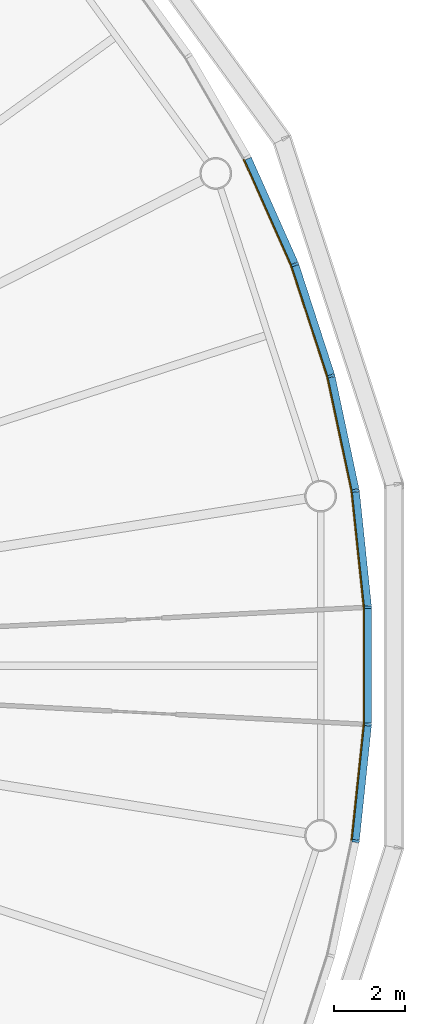
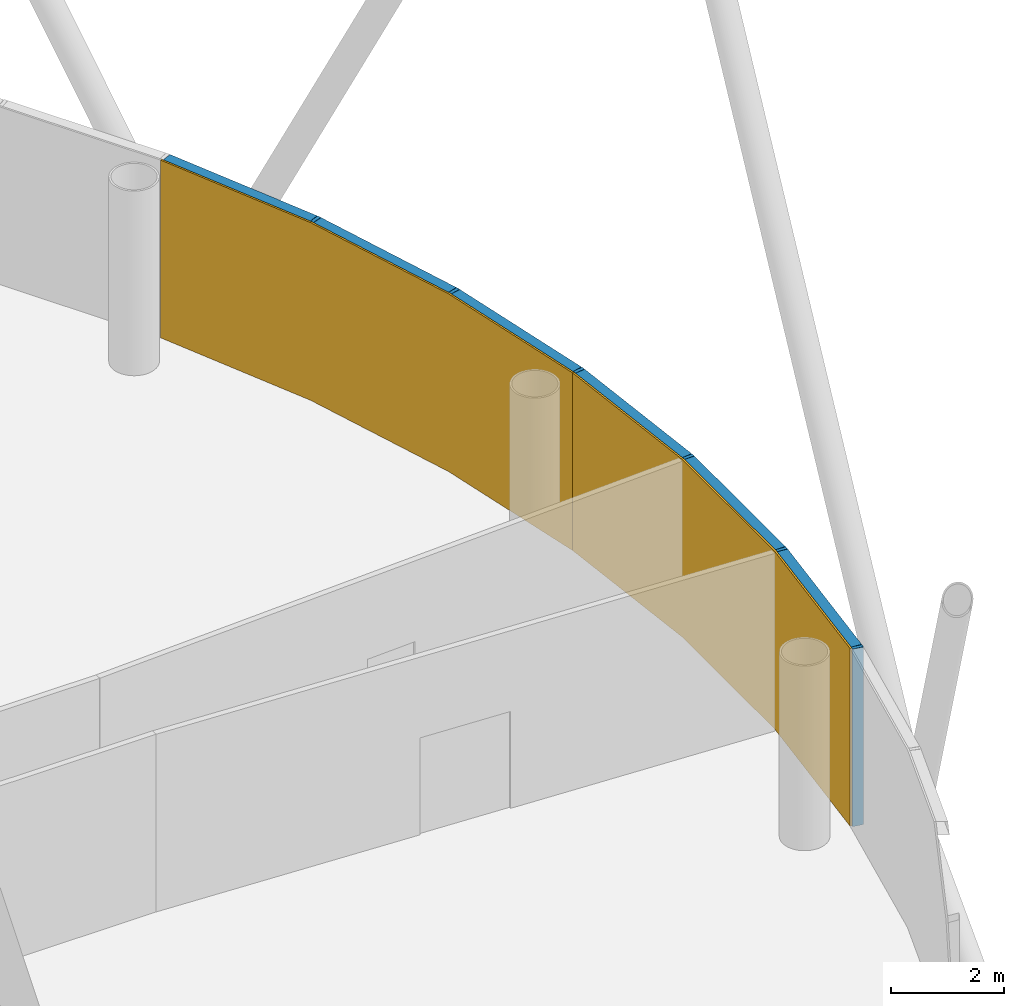
# One storey, part 11 of 13: 12 members, 2 curtain walls.
"""IFC4 building model written with IfcOpenShell, lengths in metres."""

from ifc_helpers import new_model, si_unit, direction, frame, origin, origin_2d, place, context, subcontext, project, spatial, polyline, rectangle, outline, extrude, material, layer, layer_set, material_profile, profile_set, type_object, element, aggregate, save


model = new_model("IFC4")

# Units and contexts
model_context = context("Model", 3, precision=1e-05, world=origin(), true_north=direction((0.0, 1.0)))
body_context = subcontext(model_context, "Body", "Model", "MODEL_VIEW")
ifc_project = project(units=[si_unit("LENGTHUNIT", "METRE"), si_unit("AREAUNIT", "SQUARE_METRE"), si_unit("VOLUMEUNIT", "CUBIC_METRE"), si_unit("PLANEANGLEUNIT", "RADIAN"), si_unit("MASSUNIT", "GRAM", prefix="KILO")], contexts=[model_context])

# Member
ifc_material_1 = material(Name="Anodised aluminium", Category="aluminium")
ifc_material_profile_1 = material_profile(ifc_material_1, rectangle(XDim=0.070068359375, YDim=0.205078125, at=origin_2d()), Name="Mullion 70 x 205 mm anodised aluminium")
ifc_profile_set_1 = profile_set([ifc_material_profile_1], Name="Anodised aluminium")
member_type_1 = type_object("IfcMemberType", Name="Mullion 70 x 205 mm anodised aluminium", PredefinedType="MULLION", material=ifc_profile_set_1)
site_placement = place(None, origin())
building_placement = place(site_placement, origin())
storey_placement = place(building_placement, frame((0.0, 0.0, 372.0)))
member_1_placement = place(storey_placement, frame((121.21337890625, 84.943603515625, 0.0), z_axis=(0.0, 0.0, 1.0), x_axis=(-0.15643446504, 0.987688340595, 0.0)))
member_1 = element("IfcMember", 1, at=member_1_placement, type_object=member_type_1, Name="MULLION L86-00", PredefinedType="MULLION", context=body_context, shape_type="SweptSolid", body=[
    extrude(rectangle(XDim=0.070068359375, YDim=0.205078125, at=origin_2d()), origin(), (0.0, 0.0, 1.0), 3.85009765625),
])

member_2_placement = place(storey_placement, frame((120.525634765625, 88.179443359375, 0.0), z_axis=(0.0, 0.0, 1.0), x_axis=(-0.258819045103, 0.965925826289, 0.0)))
member_2 = element("IfcMember", 2, at=member_2_placement, type_object=member_type_1, Name="MULLION L86-01", PredefinedType="MULLION", context=body_context, shape_type="SweptSolid", body=[
    extrude(rectangle(XDim=0.070068359375, YDim=0.205078125, at=origin_2d()), origin(), (0.0, 0.0, 1.0), 3.85009765625),
])

member_3_placement = place(storey_placement, frame((119.50341796875, 91.325439453125, 0.0), z_axis=(0.0, 0.0, 1.0), x_axis=(-0.358367949545, 0.933580426497, 0.0)))
member_3 = element("IfcMember", 3, at=member_3_placement, type_object=member_type_1, Name="MULLION L86-02", PredefinedType="MULLION", context=body_context, shape_type="SweptSolid", body=[
    extrude(rectangle(XDim=0.070068359375, YDim=0.205078125, at=origin_2d()), origin(), (0.0, 0.0, 1.0), 3.85009765625),
])

member_4_placement = place(storey_placement, frame((121.21337890625, 75.056396484375, 0.0), z_axis=(0.0, 0.0, 1.0), x_axis=(0.15643446504, 0.987688340595, 0.0)))
member_4 = element("IfcMember", 4, at=member_4_placement, type_object=member_type_1, Name="MULLION L86-57", PredefinedType="MULLION", context=body_context, shape_type="SweptSolid", body=[
    extrude(rectangle(XDim=0.070068359375, YDim=0.205078125, at=origin_2d()), origin(), (0.0, 0.0, 1.0), 3.85009765625),
])

member_5_placement = place(storey_placement, frame((121.55908203125, 78.345947265625, 0.0), z_axis=(0.0, 0.0, 1.0), x_axis=(0.052335956243, 0.998629534755, 0.0)))
member_5 = element("IfcMember", 5, at=member_5_placement, type_object=member_type_1, Name="MULLION L86-58", PredefinedType="MULLION", context=body_context, shape_type="SweptSolid", body=[
    extrude(rectangle(XDim=0.070068359375, YDim=0.205078125, at=origin_2d()), origin(), (0.0, 0.0, 1.0), 3.85009765625),
])

member_6_placement = place(storey_placement, frame((121.55908203125, 81.654052734375, 0.0), z_axis=(0.0, 0.0, 1.0), x_axis=(-0.052335956243, 0.998629534755, 0.0)))
member_6 = element("IfcMember", 6, at=member_6_placement, type_object=member_type_1, Name="MULLION L86-59", PredefinedType="MULLION", context=body_context, shape_type="SweptSolid", body=[
    extrude(rectangle(XDim=0.070068359375, YDim=0.205078125, at=origin_2d()), origin(), (0.0, 0.0, 1.0), 3.85009765625),
])

ifc_material_2 = material(Name="Anodised aluminium", Category="aluminium")
ifc_material_profile_2 = material_profile(ifc_material_2, rectangle(XDim=0.205078125, YDim=0.195068359375, at=origin_2d()), Name="Transom 195 x 205 mm anodised aluminium")
ifc_profile_set_2 = profile_set([ifc_material_profile_2], Name="Anodised aluminium")
member_type_2 = type_object("IfcMemberType", Name="Transom 195 x 205 mm anodised aluminium", PredefinedType="USERDEFINED", material=ifc_profile_set_2)
member_7_placement = place(storey_placement, frame((121.205078125, 84.983154296875, 3.75244140625), z_axis=(-0.207885898771, 0.978153082647, 0.0), x_axis=(-0.978153082647, -0.207885898771, 0.0)))
member_7 = element("IfcMember", 7, at=member_7_placement, type_object=member_type_2, Name="TRANSOM L86-00", ObjectType="TRANSOM", PredefinedType="USERDEFINED", context=body_context, shape_type="SweptSolid", body=[
    extrude(rectangle(XDim=0.205078125, YDim=0.195068359375, at=origin_2d()), origin(), (0.0, 0.0, 1.0), 3.227294921875),
])

member_8_placement = place(storey_placement, frame((120.513427734375, 88.2177734375, 3.75244140625), z_axis=(-0.309046726844, 0.951046855117, 0.0), x_axis=(-0.951046855117, -0.309046726844, 0.0)))
member_8 = element("IfcMember", 8, at=member_8_placement, type_object=member_type_2, Name="TRANSOM L86-01", ObjectType="TRANSOM", PredefinedType="USERDEFINED", context=body_context, shape_type="SweptSolid", body=[
    extrude(rectangle(XDim=0.205078125, YDim=0.195068359375, at=origin_2d()), origin(), (0.0, 0.0, 1.0), 3.22705078125),
])

member_9_placement = place(storey_placement, frame((119.4873046875, 91.3623046875, 3.75244140625), z_axis=(-0.406791170024, 0.913521178731, 0.0), x_axis=(-0.913521178731, -0.406791170024, 0.0)))
member_9 = element("IfcMember", 9, at=member_9_placement, type_object=member_type_2, Name="TRANSOM L86-02", ObjectType="TRANSOM", PredefinedType="USERDEFINED", context=body_context, shape_type="SweptSolid", body=[
    extrude(rectangle(XDim=0.205078125, YDim=0.195068359375, at=origin_2d()), origin(), (0.0, 0.0, 1.0), 3.22705078125),
])

member_10_placement = place(storey_placement, frame((121.2177734375, 75.096435546875, 3.75244140625), z_axis=(0.104550890115, 0.994519537956, 0.0), x_axis=(-0.994519537956, 0.104550890115, 0.0)))
member_10 = element("IfcMember", 10, at=member_10_placement, type_object=member_type_2, Name="TRANSOM L86-57", ObjectType="TRANSOM", PredefinedType="USERDEFINED", context=body_context, shape_type="SweptSolid", body=[
    extrude(rectangle(XDim=0.205078125, YDim=0.195068359375, at=origin_2d()), origin(), (0.0, 0.0, 1.0), 3.22705078125),
])

member_11_placement = place(storey_placement, frame((121.559326171875, 78.386474609375, 3.75244140625), z_axis=(0.0, 1.0, 0.0), x_axis=(-1.0, 0.0, 0.0)))
member_11 = element("IfcMember", 11, at=member_11_placement, type_object=member_type_2, Name="TRANSOM L86-58", ObjectType="TRANSOM", PredefinedType="USERDEFINED", context=body_context, shape_type="SweptSolid", body=[
    extrude(rectangle(XDim=0.205078125, YDim=0.195068359375, at=origin_2d()), origin(), (0.0, 0.0, 1.0), 3.22705078125),
])

member_12_placement = place(storey_placement, frame((121.55517578125, 81.694091796875, 3.75244140625), z_axis=(-0.104550890115, 0.994519537956, 0.0), x_axis=(-0.994519537956, -0.104550890115, 0.0)))
member_12 = element("IfcMember", 12, at=member_12_placement, type_object=member_type_2, Name="TRANSOM L86-59", ObjectType="TRANSOM", PredefinedType="USERDEFINED", context=body_context, shape_type="SweptSolid", body=[
    extrude(rectangle(XDim=0.205078125, YDim=0.195068359375, at=origin_2d()), origin(), (0.0, 0.0, 1.0), 3.22705078125),
])

# Site, building, storey
site = spatial("IfcSite", under=ifc_project, at=site_placement, CompositionType="ELEMENT")
building = spatial("IfcBuilding", under=site, at=building_placement, Name="Entoto Ring Tower", CompositionType="ELEMENT")
storey = spatial("IfcBuildingStorey", under=building, at=storey_placement, Name="L86", CompositionType="ELEMENT", Elevation=372.0)

# Curtain wall
ifc_material_3 = material(Name="Clear low-iron glass", Category="glass")
ifc_layer = layer(ifc_material_3, 0.035888671875)
ifc_layer_set = layer_set([ifc_layer], Name="Clear low-iron glass")
curtain_wall_type = type_object("IfcCurtainWallType", Name="Curtain wall system CW6 glazing 36 mm", PredefinedType="NOTDEFINED", material=ifc_layer_set)
curtain_wall_1_placement = place(storey_placement, origin())
curtain_wall_1 = element("IfcCurtainWall", 13, at=curtain_wall_1_placement, inside=storey, type_object=curtain_wall_type, Name="CW6 L86-01", PredefinedType="NOTDEFINED", context=body_context, shape_type="SweptSolid", body=[
    extrude(outline(polyline([(121.1123046875, 84.927734375), (120.4267578125, 88.15283203125), (119.40771484375, 91.28857421875), (118.066650390625, 94.30078125), (118.03466796875, 94.284423828125), (119.3740234375, 91.275634765625), (120.391845703125, 88.1435546875), (121.07666015625, 84.922119140625), (121.1123046875, 84.927734375)])), origin(), (0.0, 0.0, 1.0), 3.85009765625),
])

aggregate(curtain_wall_1, [member_1, member_2, member_3, member_7, member_8, member_9])

curtain_wall_2_placement = place(storey_placement, origin())
curtain_wall_2 = element("IfcCurtainWall", 14, at=curtain_wall_2_placement, inside=storey, type_object=curtain_wall_type, Name="CW6 L86-20", PredefinedType="NOTDEFINED", context=body_context, shape_type="SweptSolid", body=[
    extrude(outline(polyline([(121.1123046875, 75.072265625), (121.456787109375, 78.351318359375), (121.456787109375, 81.648681640625), (121.1123046875, 84.927734375), (121.07666015625, 84.922119140625), (121.4208984375, 81.646728515625), (121.4208984375, 78.353271484375), (121.07666015625, 75.077880859375), (121.1123046875, 75.072265625)])), origin(), (0.0, 0.0, 1.0), 3.85009765625),
])

aggregate(curtain_wall_2, [member_4, member_5, member_6, member_10, member_11, member_12])

save(model, "model.ifc")
